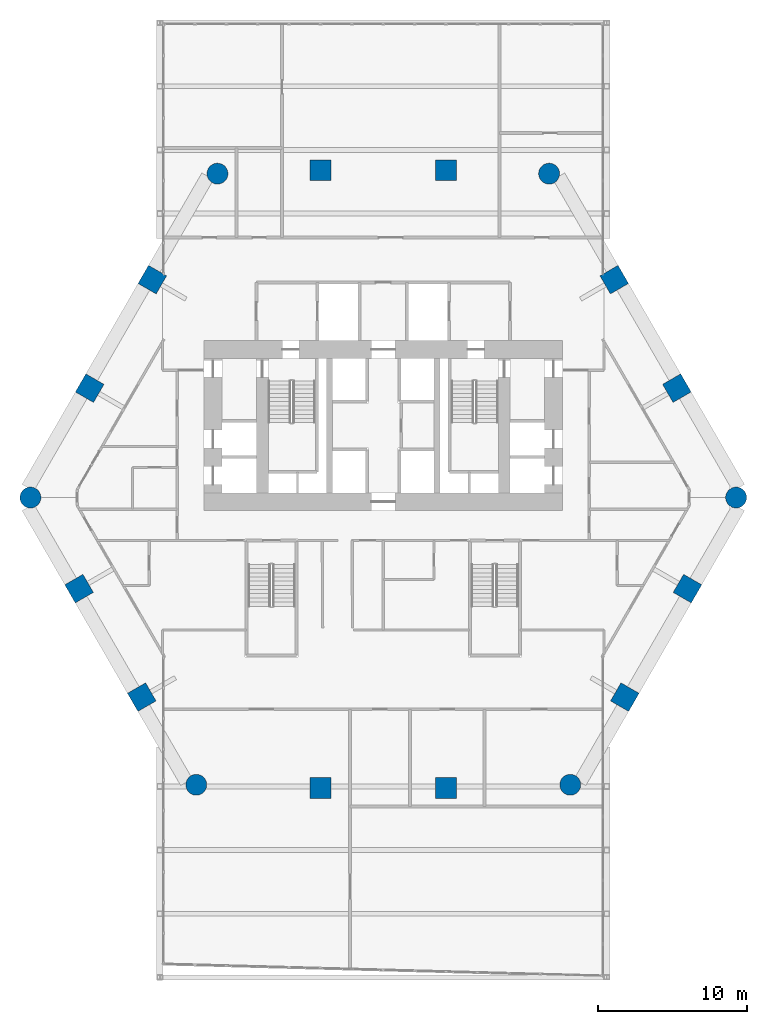
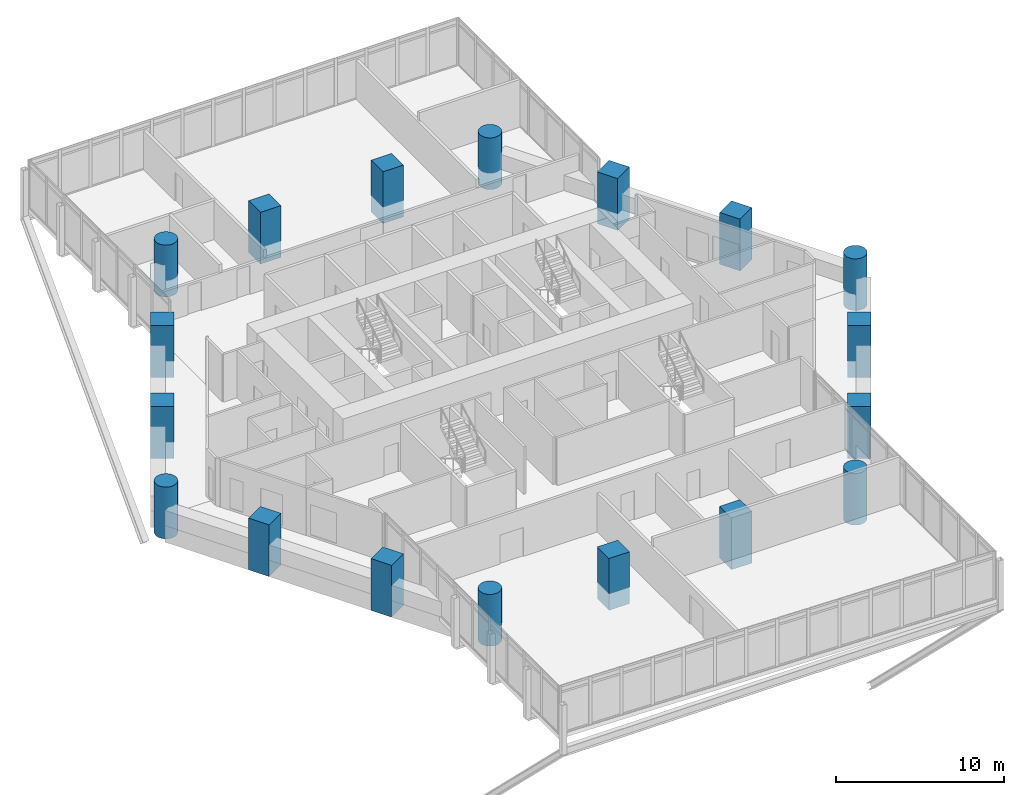
# One storey, part 1 of 38: 18 columns.
"""IFC4 building model written with IfcOpenShell, lengths in metres."""

import ifcopenshell
import ifcopenshell.guid

model = None  # the IFC model being written
_history = None  # IfcOwnerHistory: only IFC2X3 demands one
_inside = {}  # id of a spatial element -> (the spatial element, [elements in it])
_under = {}  # id of a project, library or spatial element -> (it, [spatial elements below it])
_declared = {}  # id of a project -> (the project, [libraries it declares])
_typed = {}  # id of a type object -> (the type object, [elements of that type])
_made_of = {}  # id of a material, layer set ... -> (it, [elements and type objects made of it])


def new_model(schema):
    """Start an empty IFC model of exactly this schema.

    Asked for "IFC4X3", IfcOpenShell would pick the latest addendum, in which some entities
    have other attributes; the version numbers below select the first issue.
    IFC2X3 requires an IfcOwnerHistory on every rooted entity: one is made here for all.
    """
    global model, _history
    if schema == "IFC4X3":
        model = ifcopenshell.file(schema_version=(4, 3, 0, 0))
    else:
        model = ifcopenshell.file(schema=schema)
    _inside.clear()
    _under.clear()
    _declared.clear()
    _typed.clear()
    _made_of.clear()
    _history = None
    if model.schema == "IFC2X3":
        org = make("IfcOrganization", Name="unknown")
        user = make(
            "IfcPersonAndOrganization",
            ThePerson=make("IfcPerson", FamilyName="unknown"),
            TheOrganization=org,
        )
        app = make(
            "IfcApplication",
            ApplicationDeveloper=org,
            Version="unknown",
            ApplicationFullName="unknown",
            ApplicationIdentifier="unknown",
        )
        _history = make(
            "IfcOwnerHistory",
            OwningUser=user,
            OwningApplication=app,
            ChangeAction="ADDED",
            CreationDate=0,
        )
    return model


def make(cls, **values):
    """One entity of the class cls with the attributes given. An attribute that is None is left unset."""
    return model.create_entity(
        cls, **{name: value for name, value in values.items() if value is not None}
    )


def rooted(cls, **values):
    """An entity with a GlobalId (a new one), such as an element, a storey or a relation."""
    return make(cls, GlobalId=ifcopenshell.guid.new(), OwnerHistory=_history, **values)


def si_unit(unit_type, name, prefix=None):
    """IfcSIUnit, for example si_unit("LENGTHUNIT", "METRE", prefix="MILLI")."""
    return make("IfcSIUnit", UnitType=unit_type, Prefix=prefix, Name=name)


def assignment(units):
    """IfcUnitAssignment: the units of a project."""
    return None if units is None else make("IfcUnitAssignment", Units=units)


def point(xyz):
    """IfcCartesianPoint."""
    return None if xyz is None else make("IfcCartesianPoint", Coordinates=xyz)


def direction(xyz):
    """IfcDirection."""
    return None if xyz is None else make("IfcDirection", DirectionRatios=xyz)


def frame(location, z_axis=None, x_axis=None):
    """IfcAxis2Placement3D, a coordinate frame: its origin and axes. An axis left out is left unset."""
    return make(
        "IfcAxis2Placement3D",
        Location=point(location),
        Axis=direction(z_axis),
        RefDirection=direction(x_axis),
    )


def frame_2d(location, x_axis=None):
    """IfcAxis2Placement2D, a coordinate frame in the plane: its origin and x axis."""
    return make(
        "IfcAxis2Placement2D", Location=point(location), RefDirection=direction(x_axis)
    )


def origin():
    """The frame at (0, 0, 0) with its axes left unset."""
    return frame((0.0, 0.0, 0.0))


def origin_2d():
    """The frame at (0, 0) in the plane with its x axis left unset."""
    return frame_2d((0.0, 0.0))


def place(relative_to, where):
    """IfcLocalPlacement: puts the frame where relative to a parent placement (None: the world)."""
    return make(
        "IfcLocalPlacement", PlacementRelTo=relative_to, RelativePlacement=where
    )


def context(
    kind, dimensions, precision=None, world=None, true_north=None, identifier=None
):
    """IfcGeometricRepresentationContext, for example the 3D "Model" context."""
    return make(
        "IfcGeometricRepresentationContext",
        ContextIdentifier=identifier,
        ContextType=kind,
        CoordinateSpaceDimension=dimensions,
        Precision=precision,
        WorldCoordinateSystem=world,
        TrueNorth=true_north,
    )


def subcontext(parent, identifier, kind, view, scale=None):
    """IfcGeometricRepresentationSubContext, for example "Body" below "Model"."""
    return make(
        "IfcGeometricRepresentationSubContext",
        ContextIdentifier=identifier,
        ContextType=kind,
        ParentContext=parent,
        TargetScale=scale,
        TargetView=view,
    )


def project(units=None, contexts=None):
    """IfcProject with its units and contexts."""
    return rooted(
        "IfcProject",
        Name="project",
        RepresentationContexts=contexts,
        UnitsInContext=assignment(units),
    )


def spatial(cls, under=None, at=None, **own):
    """A site, building, storey or space (cls), placed at a placement, below another one or the project."""
    s = rooted(cls, ObjectPlacement=at, **own)
    if under is not None:
        _under.setdefault(under.id(), (under, []))[1].append(s)
    return s


def profile(cls, at=None, kind="AREA", **sizes):
    """A parametric profile (cls). Its sizes go by their IFC names, for example OverallWidth=200.0."""
    return make(cls, ProfileType=kind, Position=at, **sizes)


def rectangle(**sizes):
    """IfcRectangleProfileDef."""
    return profile("IfcRectangleProfileDef", **sizes)


def circle(**sizes):
    """IfcCircleProfileDef."""
    return profile("IfcCircleProfileDef", **sizes)


def extrude(swept, where, along, depth):
    """IfcExtrudedAreaSolid: the profile swept, set in the frame where, extruded along a direction by depth."""
    return make(
        "IfcExtrudedAreaSolid",
        SweptArea=swept,
        Position=where,
        ExtrudedDirection=direction(along),
        Depth=depth,
    )


def shape(context_of_items, identifier, shape_type, items):
    """IfcShapeRepresentation: the items that make up one representation, for example the "Body"."""
    return make(
        "IfcShapeRepresentation",
        ContextOfItems=context_of_items,
        RepresentationIdentifier=identifier,
        RepresentationType=shape_type,
        Items=items,
    )


def material(Name=None, Category=None):
    """IfcMaterial."""
    return make("IfcMaterial", Name=Name, Category=Category)


def material_profile(
    of_material, cross_section, Name=None, Category=None, Priority=None
):
    """IfcMaterialProfile: a cross section and its material."""
    return make(
        "IfcMaterialProfile",
        Name=Name,
        Material=of_material,
        Profile=cross_section,
        Priority=Priority,
        Category=Category,
    )


def profile_set(profiles, Name=None, composite=None):
    """IfcMaterialProfileSet."""
    return make(
        "IfcMaterialProfileSet",
        Name=Name,
        MaterialProfiles=profiles,
        CompositeProfile=composite,
    )


def made_of(thing, what):
    """Note that an element or type object is made of a material, layer set ...; save() writes the relation."""
    if what is not None:
        _made_of.setdefault(what.id(), (what, []))[1].append(thing)
    return thing


def type_object(cls, material=None, **own):
    """A type object (cls), such as IfcWallType, which elements share."""
    return made_of(rooted(cls, **own), material)


def element(
    cls,
    number,
    at=None,
    inside=None,
    cuts=None,
    type_object=None,
    material=None,
    context=None,
    identifier="Body",
    shape_type=None,
    held_by="IfcProductDefinitionShape",
    body=None,
    shapes=None,
    **own,
):
    """One element of the class cls, such as IfcWall. Its Tag is "e" and its number.

    at: its placement. inside: the storey or other place that contains it. cuts: it is an
    opening in that element (IfcRelVoidsElement). A single representation is given by context,
    identifier, shape_type and body (its items); several are given by shapes. held_by: the class
    of the entity that holds the representations. save() writes the other relations.
    """
    e = rooted(cls, Tag="e%d" % number, ObjectPlacement=at, **own)
    if body is not None:
        shapes = [shape(context, identifier, shape_type, body)]
    if shapes is not None:
        e.Representation = make(held_by, Representations=shapes)
    if inside is not None:
        _inside.setdefault(inside.id(), (inside, []))[1].append(e)
    if cuts is not None:
        rooted(
            "IfcRelVoidsElement", RelatingBuildingElement=cuts, RelatedOpeningElement=e
        )
    if type_object is not None:
        _typed.setdefault(type_object.id(), (type_object, []))[1].append(e)
    return made_of(e, material)


def aggregate(whole, parts):
    """IfcRelAggregates: a whole, such as a stair, and the parts it consists of."""
    return rooted("IfcRelAggregates", RelatingObject=whole, RelatedObjects=parts)


def save(model, path):
    """Write the relations noted so far, then the file.

    IfcRelAggregates (storeys below a building ...), IfcRelContainedInSpatialStructure (elements
    in a storey), IfcRelDefinesByType, IfcRelAssociatesMaterial and IfcRelDeclares: one each for
    every whole, place, type object, material and project.
    """
    for whole, parts in _under.values():
        aggregate(whole, parts)
    for where, things in _inside.values():
        rooted(
            "IfcRelContainedInSpatialStructure",
            RelatedElements=things,
            RelatingStructure=where,
        )
    for kind, things in _typed.values():
        rooted("IfcRelDefinesByType", RelatedObjects=things, RelatingType=kind)
    for what, things in _made_of.values():
        rooted("IfcRelAssociatesMaterial", RelatedObjects=things, RelatingMaterial=what)
    for by, libraries in _declared.values():
        rooted("IfcRelDeclares", RelatingContext=by, RelatedDefinitions=libraries)
    model.write(path)


model = new_model("IFC4")

# Units and contexts
model_context = context("Model", 3, precision=1e-05, world=origin(), true_north=direction((0.0, 1.0)))
body_context = subcontext(model_context, "Body", "Model", "MODEL_VIEW")
ifc_project = project(units=[si_unit("LENGTHUNIT", "METRE"), si_unit("AREAUNIT", "SQUARE_METRE"), si_unit("VOLUMEUNIT", "CUBIC_METRE"), si_unit("PLANEANGLEUNIT", "RADIAN"), si_unit("MASSUNIT", "GRAM", prefix="KILO")], contexts=[model_context])

# Site, building, storey
site_placement = place(None, origin())
site = spatial("IfcSite", under=ifc_project, at=site_placement, CompositionType="ELEMENT")
building_placement = place(site_placement, origin())
building = spatial("IfcBuilding", under=site, at=building_placement, Name="Ostrander Bayou Hotel Tower", CompositionType="ELEMENT")
storey_placement = place(building_placement, frame((0.0, 0.0, 65.5)))
storey = spatial("IfcBuildingStorey", under=building, at=storey_placement, Name="L16", CompositionType="ELEMENT", Elevation=65.5)

# Columns
ifc_material_1 = material(Name="Concrete f'c 70 MPa", Category="concrete")
ifc_material_profile_1 = material_profile(ifc_material_1, circle(Radius=0.699951171875, at=origin_2d()))
ifc_profile_set_1 = profile_set([ifc_material_profile_1], Name="Concrete f'c 70 MPa")
column_type_1 = type_object("IfcColumnType", Name="C1 round column 1400 mm f'c 70 MPa", PredefinedType="COLUMN", material=ifc_profile_set_1)
for number, where, z_axis, x_axis, name in (
    (1, (-11.105712890625, 20.872314453125, -1.199951171875), (0.0, 0.0, 1.0), (1.0, 0.0, 0.0), "C1 L16 K0"),
    (2, (-23.62890625, -0.818359375, -1.199951171875), (0.0, 0.0, 1.0), (1.0, 0.0, 0.0), "C1 L16 K1"),
    (3, (-12.52294921875, -20.053955078125, -1.199951171875), (0.0, 0.0, 1.0), (1.0, 0.0, 0.0), "C1 L16 K2"),
    (4, (12.52294921875, -20.053955078125, -1.199951171875), (0.0, 0.0, 1.0), (1.0, 0.0, 0.0), "C1 L16 K3"),
    (5, (23.62890625, -0.818359375, -1.199951171875), (0.0, 0.0, 1.0), (1.0, 0.0, 0.0), "C1 L16 K4"),
    (6, (11.105712890625, 20.872314453125, -1.199951171875), (0.0, 0.0, 1.0), (1.0, 0.0, 0.0), "C1 L16 K5"),
):
    element("IfcColumn", number, at=place(storey_placement, frame(where, z_axis=z_axis, x_axis=x_axis)), inside=storey, type_object=column_type_1, Name=name, PredefinedType="COLUMN", context=body_context, shape_type="SweptSolid", body=[
        extrude(circle(Radius=0.699951171875, at=origin_2d()), origin(), (0.0, 0.0, 1.0), 3.75),
    ])
ifc_material_2 = material(Name="Concrete f'c 70 MPa", Category="concrete")
ifc_material_profile_2 = material_profile(ifc_material_2, rectangle(XDim=1.39990234375, YDim=1.39990234375, at=origin_2d()))
ifc_profile_set_2 = profile_set([ifc_material_profile_2], Name="Concrete f'c 70 MPa")
column_type_2 = type_object("IfcColumnType", Name="C2 square column 1400 x 1400 mm f'c 70 MPa", PredefinedType="COLUMN", material=ifc_profile_set_2)
for number, where, z_axis, x_axis, name in (
    (7, (4.1953125, 21.10009765625, -1.199951171875), (0.0, 0.0, 1.0), (1.0, 0.0, 0.0), "C2 L16 N1"),
    (8, (-4.1953125, 21.10009765625, -1.199951171875), (0.0, 0.0, 1.0), (1.0, 0.0, 0.0), "C2 L16 N2"),
    (9, (-15.466796875, 13.774169921875, -1.199951171875), (0.0, 0.0, 1.0), (0.5, 0.866025403784, 0.0), "C2 L16 NW1"),
    (10, (-19.662109375, 6.507568359375, -1.199951171875), (0.0, 0.0, 1.0), (0.5, 0.866025403784, 0.0), "C2 L16 NW2"),
    (11, (-20.370849609375, -6.916748046875, -1.199951171875), (0.0, 0.0, 1.0), (-0.5, 0.866025403784, 0.0), "C2 L16 SW1"),
    (12, (-16.17529296875, -14.183349609375, -1.199951171875), (0.0, 0.0, 1.0), (-0.5, 0.866025403784, 0.0), "C2 L16 SW2"),
    (13, (-4.1953125, -20.28173828125, -1.199951171875), (0.0, 0.0, 1.0), (-1.0, 0.0, 0.0), "C2 L16 S1"),
    (14, (4.1953125, -20.28173828125, -1.199951171875), (0.0, 0.0, 1.0), (-1.0, 0.0, 0.0), "C2 L16 S2"),
    (15, (16.17529296875, -14.183349609375, -1.199951171875), (0.0, 0.0, 1.0), (-0.5, -0.866025403784, 0.0), "C2 L16 SE1"),
    (16, (20.370849609375, -6.916748046875, -1.199951171875), (0.0, 0.0, 1.0), (-0.5, -0.866025403784, 0.0), "C2 L16 SE2"),
    (17, (19.662109375, 6.507568359375, -1.199951171875), (0.0, 0.0, 1.0), (0.5, -0.866025403784, 0.0), "C2 L16 NE1"),
    (18, (15.466796875, 13.774169921875, -1.199951171875), (0.0, 0.0, 1.0), (0.5, -0.866025403784, 0.0), "C2 L16 NE2"),
):
    element("IfcColumn", number, at=place(storey_placement, frame(where, z_axis=z_axis, x_axis=x_axis)), inside=storey, type_object=column_type_2, Name=name, PredefinedType="COLUMN", context=body_context, shape_type="SweptSolid", body=[
        extrude(rectangle(XDim=1.39990234375, YDim=1.39990234375, at=origin_2d()), origin(), (0.0, 0.0, 1.0), 3.75),
    ])

save(model, "model.ifc")
